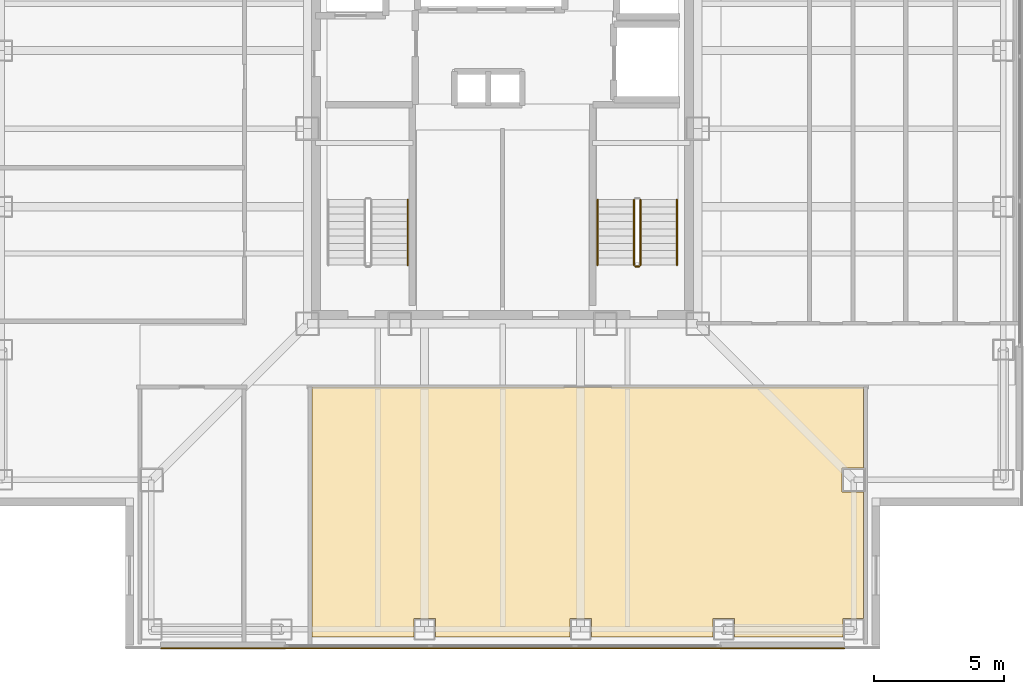
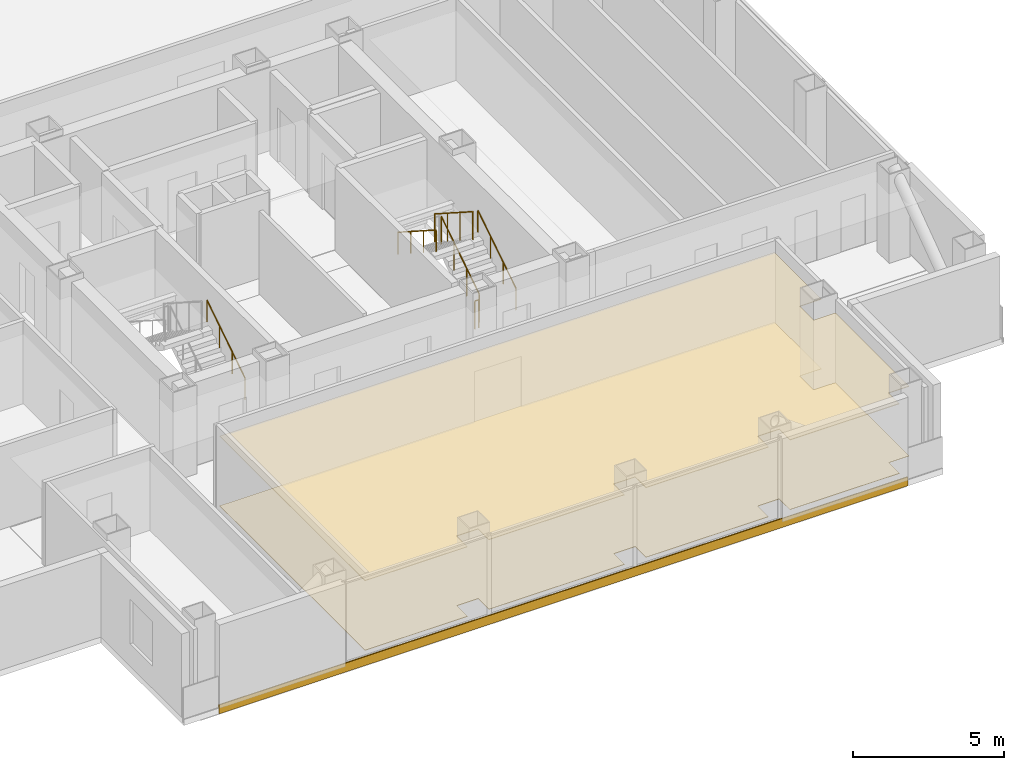
# One storey, part 12 of 16: 6 railings, 3 coverings.
"""IFC4 building model written with IfcOpenShell, lengths in metres."""

from ifc_helpers import new_model, si_unit, direction, frame, frame_2d, origin, origin_2d, place, context, subcontext, project, spatial, polyline, rectangle, circle, outline, extrude, material, layer, layer_set, type_object, element, save


model = new_model("IFC4")

# Units and contexts
model_context = context("Model", 3, precision=1e-05, world=origin(), true_north=direction((0.0, 1.0)))
body_context = subcontext(model_context, "Body", "Model", "MODEL_VIEW")
ifc_project = project(units=[si_unit("LENGTHUNIT", "METRE"), si_unit("AREAUNIT", "SQUARE_METRE"), si_unit("VOLUMEUNIT", "CUBIC_METRE"), si_unit("PLANEANGLEUNIT", "RADIAN"), si_unit("MASSUNIT", "GRAM", prefix="KILO")], contexts=[model_context])

# Site, building, storey
site_placement = place(None, origin())
site = spatial("IfcSite", under=ifc_project, at=site_placement, CompositionType="ELEMENT")
building_placement = place(site_placement, origin())
building = spatial("IfcBuilding", under=site, at=building_placement, Name="Trevonay Congress Spire", CompositionType="ELEMENT")
storey_placement = place(building_placement, frame((0.0, 0.0, 202.199951171875)))
storey = spatial("IfcBuildingStorey", under=building, at=storey_placement, Name="L52", CompositionType="ELEMENT", Elevation=202.199951171875)

# Coverings
ifc_material_1 = material(Name="Acoustic Mineral Fibre Board", Category="gypsum")
ifc_layer_1 = layer(ifc_material_1, 0.02490234375, Name="Acoustic Mineral Fibre Board")
ifc_layer_set_1 = layer_set([ifc_layer_1], Name="Acoustic Mineral Fibre Board")
covering_type_1 = type_object("IfcCoveringType", Name="COV-CEIL-ACOUSTIC", PredefinedType="CEILING", material=ifc_layer_set_1)
covering_1_placement = place(storey_placement, frame((0.0, 0.0, 2.81005859375)))
element("IfcCovering", 1, at=covering_1_placement, inside=storey, type_object=covering_type_1, Name="L52 Members Maritime Reference Library Lounge acoustic suspended ceiling", PredefinedType="CEILING", context=body_context, shape_type="SweptSolid", body=[
    extrude(outline(polyline([(-7.320068359375, -19.550048828125), (-7.320068359375, -9.929931640625), (13.8701171875, -9.929931640625), (13.8701171875, -13.0400390625), (13.0400390625, -13.0400390625), (13.0400390625, -13.9599609375), (13.8701171875, -13.9599609375), (13.8701171875, -18.840087890625), (13.090087890625, -18.840087890625), (13.090087890625, -19.550048828125), (8.909912109375, -19.550048828125), (8.909912109375, -18.840087890625), (8.090087890625, -18.840087890625), (8.090087890625, -19.550048828125), (3.409912109375, -19.550048828125), (3.409912109375, -18.840087890625), (2.590087890625, -18.840087890625), (2.590087890625, -19.550048828125), (-2.590087890625, -19.550048828125), (-2.590087890625, -18.840087890625), (-3.409912109375, -18.840087890625), (-3.409912109375, -19.550048828125), (-7.320068359375, -19.550048828125)])), origin(), (0.0, 0.0, 1.0), 0.02490234375),
])
ifc_material_2 = material(Name="Engineered Oak Flooring", Category="wood")
ifc_layer_2 = layer(ifc_material_2, 0.01806640625, Name="Engineered Oak Flooring")
ifc_layer_set_2 = layer_set([ifc_layer_2], Name="Engineered Oak Flooring")
covering_type_2 = type_object("IfcCoveringType", Name="COV-FLOOR-TIMBER", PredefinedType="FLOORING", material=ifc_layer_set_2)
covering_2_placement = place(storey_placement, origin())
element("IfcCovering", 2, at=covering_2_placement, inside=storey, type_object=covering_type_2, Name="L52 Members Maritime Reference Library Lounge floor finish", PredefinedType="FLOORING", context=body_context, shape_type="SweptSolid", body=[
    extrude(outline(polyline([(-7.320068359375, -19.550048828125), (-7.320068359375, -9.929931640625), (13.8701171875, -9.929931640625), (13.8701171875, -13.0400390625), (13.0400390625, -13.0400390625), (13.0400390625, -13.9599609375), (13.8701171875, -13.9599609375), (13.8701171875, -18.840087890625), (13.090087890625, -18.840087890625), (13.090087890625, -19.550048828125), (8.909912109375, -19.550048828125), (8.909912109375, -18.840087890625), (8.090087890625, -18.840087890625), (8.090087890625, -19.550048828125), (3.409912109375, -19.550048828125), (3.409912109375, -18.840087890625), (2.590087890625, -18.840087890625), (2.590087890625, -19.550048828125), (-2.590087890625, -19.550048828125), (-2.590087890625, -18.840087890625), (-3.409912109375, -18.840087890625), (-3.409912109375, -19.550048828125), (-7.320068359375, -19.550048828125)])), origin(), (0.0, 0.0, 1.0), 0.01806640625),
])
ifc_material_3 = material(Name="Pale Anodised Aluminium EN AW-6063-T6", Category="aluminium")
ifc_layer_3 = layer(ifc_material_3, 0.0400390625, Name="Pale Anodised Aluminium EN AW-6063-T6")
ifc_layer_set_3 = layer_set([ifc_layer_3], Name="Pale Anodised Aluminium EN AW-6063-T6")
covering_type_3 = type_object("IfcCoveringType", Name="COV-SPANDREL-PALE-METAL", PredefinedType="CLADDING", material=ifc_layer_set_3)
covering_3_placement = place(storey_placement, frame((-13.14990234375, -19.97998046875, -0.239990234375), z_axis=(0.0, 0.0, 1.0), x_axis=(1.0, 0.0, 0.0)))
element("IfcCovering", 3, at=covering_3_placement, inside=storey, type_object=covering_type_3, Name="L52 S pale-metal slab-edge spandrel cladding", PredefinedType="CLADDING", context=body_context, shape_type="SweptSolid", body=[
    extrude(rectangle(XDim=26.2998046875, YDim=0.0400390625, at=frame_2d((13.14990234375, 0.0))), origin(), (0.0, 0.0, 1.0), 0.360107421875),
])

# Railings
railing_type_1 = type_object("IfcRailingType", Name="RAL-STAIR-GUARD-110", PredefinedType="GUARDRAIL", material=ifc_material_3)
railing_1_placement = place(storey_placement, frame((5.300048828125, -5.25, 0.179931640625)))
element("IfcRailing", 4, at=railing_1_placement, inside=storey, type_object=railing_type_1, Name="L52 ST-2 stair guard 1", PredefinedType="GUARDRAIL", context=body_context, shape_type="SweptSolid", body=[
    extrude(circle(Radius=0.02392578125, at=origin_2d()), frame((0.0, 0.0, 1.1259765625), z_axis=(0.0, 0.841162588446, 0.540782303519), x_axis=(-1.0, 0.0, 0.0)), (0.0, 0.0, 1.0), 2.995849609375),
    extrude(circle(Radius=0.02099609375, at=origin_2d()), origin(), (0.0, 0.0, 1.0), 1.101806640625),
    extrude(circle(Radius=0.02099609375, at=origin_2d()), frame((0.0, 0.840087890625, 0.5400390625)), (0.0, 0.0, 1.0), 1.101806640625),
    extrude(circle(Radius=0.02099609375, at=origin_2d()), frame((0.0, 1.679931640625, 1.080078125)), (0.0, 0.0, 1.0), 1.101806640625),
    extrude(circle(Radius=0.02099609375, at=origin_2d()), frame((0.0, 2.52001953125, 1.6201171875)), (0.0, 0.0, 1.0), 1.101806640625),
])
railing_2_placement = place(storey_placement, frame((5.050048828125, -2.72998046875, 1.97998046875)))
element("IfcRailing", 5, at=railing_2_placement, inside=storey, type_object=railing_type_1, Name="L52 ST-2 stair guard 3", PredefinedType="GUARDRAIL", context=body_context, shape_type="SweptSolid", body=[
    extrude(circle(Radius=0.02392578125, at=origin_2d()), frame((0.0, 0.0, 1.1259765625), z_axis=(0.0, -0.841162588446, 0.540782303519), x_axis=(1.0, 0.0, 0.0)), (0.0, 0.0, 1.0), 2.995849609375),
    extrude(circle(Radius=0.02099609375, at=origin_2d()), origin(), (0.0, 0.0, 1.0), 1.101806640625),
    extrude(circle(Radius=0.02099609375, at=origin_2d()), frame((0.0, -0.840087890625, 0.5400390625)), (0.0, 0.0, 1.0), 1.101806640625),
    extrude(circle(Radius=0.02099609375, at=origin_2d()), frame((0.0, -1.679931640625, 1.080078125)), (0.0, 0.0, 1.0), 1.101806640625),
    extrude(circle(Radius=0.02099609375, at=origin_2d()), frame((0.0, -2.52001953125, 1.6201171875)), (0.0, 0.0, 1.0), 1.101806640625),
])
railing_3_placement = place(storey_placement, frame((5.25, -5.300048828125, 0.0)))
element("IfcRailing", 6, at=railing_3_placement, inside=storey, type_object=railing_type_1, Name="L52 ST-2 stair guard 4", PredefinedType="GUARDRAIL", context=body_context, shape_type="SweptSolid", body=[
    extrude(circle(Radius=0.02392578125, at=origin_2d()), frame((0.0, 0.0, 1.1259765625), z_axis=(-1.0, 0.0, 0.0), x_axis=(0.0, -1.0, 0.0)), (0.0, 0.0, 1.0), 0.14990234375),
    extrude(circle(Radius=0.02099609375, at=origin_2d()), origin(), (0.0, 0.0, 1.0), 1.101806640625),
    extrude(circle(Radius=0.02099609375, at=origin_2d()), frame((-0.14990234375, 0.0, 0.0)), (0.0, 0.0, 1.0), 1.101806640625),
])
railing_type_2 = type_object("IfcRailingType", Name="RAL-STAIR-HANDRAIL", PredefinedType="HANDRAIL", material=ifc_material_3)
for number, where, name in (
    (7, (-3.64990234375, -5.25, 0.179931640625), "L52 ST-1 stair handrail 1"),
    (8, (6.699951171875, -5.25, 0.179931640625), "L52 ST-2 stair handrail 1"),
):
    element("IfcRailing", number, at=place(storey_placement, frame(where)), inside=storey, type_object=railing_type_2, Name=name, PredefinedType="HANDRAIL", context=body_context, shape_type="SweptSolid", body=[
        extrude(circle(Radius=0.02392578125, at=origin_2d()), frame((0.0, 0.0, 0.8759765625), z_axis=(0.0, 0.841162588446, 0.540782303519), x_axis=(-1.0, 0.0, 0.0)), (0.0, 0.0, 1.0), 2.995849609375),
        extrude(circle(Radius=0.02099609375, at=origin_2d()), origin(), (0.0, 0.0, 1.0), 0.851806640625),
        extrude(circle(Radius=0.02099609375, at=origin_2d()), frame((0.0, 0.840087890625, 0.5400390625)), (0.0, 0.0, 1.0), 0.851806640625),
        extrude(circle(Radius=0.02099609375, at=origin_2d()), frame((0.0, 1.679931640625, 1.080078125)), (0.0, 0.0, 1.0), 0.851806640625),
        extrude(circle(Radius=0.02099609375, at=origin_2d()), frame((0.0, 2.52001953125, 1.6201171875)), (0.0, 0.0, 1.0), 0.851806640625),
    ])
railing_4_placement = place(storey_placement, frame((3.64990234375, -2.72998046875, 1.97998046875)))
element("IfcRailing", 9, at=railing_4_placement, inside=storey, type_object=railing_type_2, Name="L52 ST-2 stair handrail 2", PredefinedType="HANDRAIL", context=body_context, shape_type="SweptSolid", body=[
    extrude(circle(Radius=0.02392578125, at=origin_2d()), frame((0.0, 0.0, 0.8759765625), z_axis=(0.0, -0.841162588446, 0.540782303519), x_axis=(1.0, 0.0, 0.0)), (0.0, 0.0, 1.0), 2.995849609375),
    extrude(circle(Radius=0.02099609375, at=origin_2d()), origin(), (0.0, 0.0, 1.0), 0.851806640625),
    extrude(circle(Radius=0.02099609375, at=origin_2d()), frame((0.0, -0.840087890625, 0.5400390625)), (0.0, 0.0, 1.0), 0.851806640625),
    extrude(circle(Radius=0.02099609375, at=origin_2d()), frame((0.0, -1.679931640625, 1.080078125)), (0.0, 0.0, 1.0), 0.851806640625),
    extrude(circle(Radius=0.02099609375, at=origin_2d()), frame((0.0, -2.52001953125, 1.6201171875)), (0.0, 0.0, 1.0), 0.851806640625),
])

save(model, "model.ifc")
